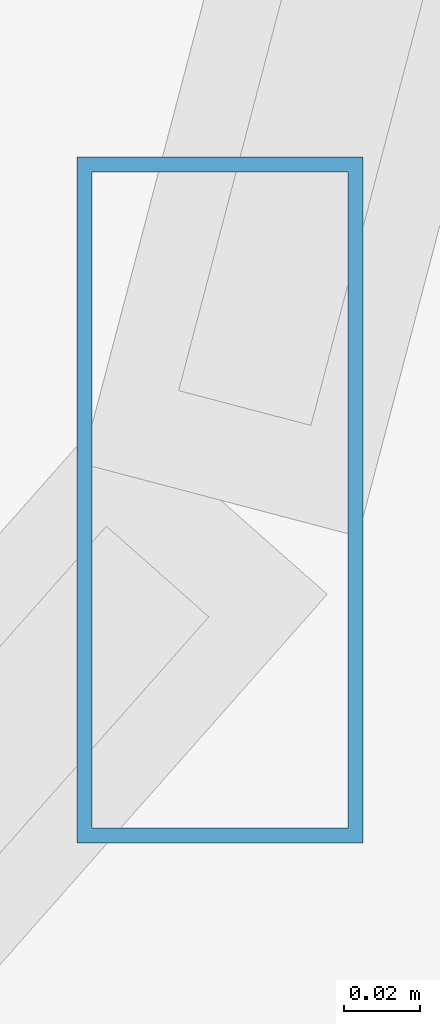
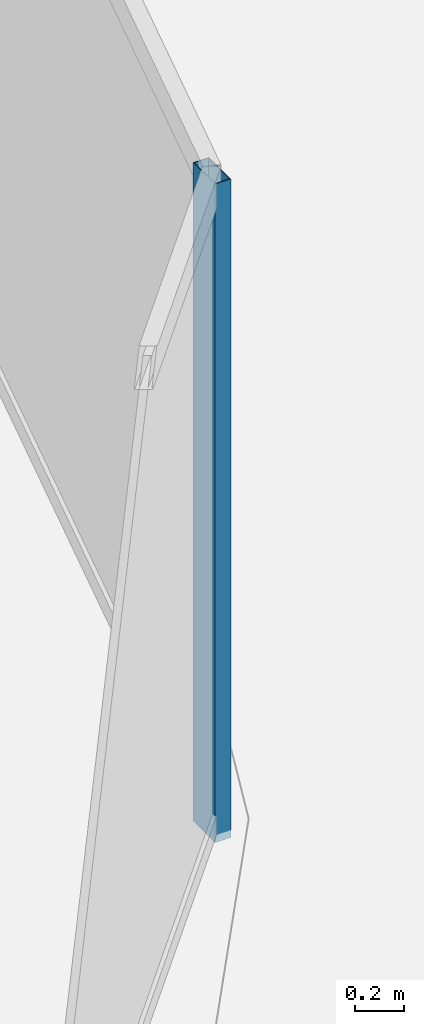
# One storey, part 13 of 30: 1 member, 1 element without a shape of its own.
"""IFC4 building model written with IfcOpenShell, lengths in metres."""

from ifc_helpers import new_model, si_unit, direction, frame, origin, origin_2d, place, context, subcontext, project, spatial, hollow_rectangle, extrude, material, material_profile, profile_set, type_object, element, aggregate, save


model = new_model("IFC4")

# Units and contexts
model_context = context("Model", 3, precision=1e-05, world=origin(), true_north=direction((0.0, 1.0)))
body_context = subcontext(model_context, "Body", "Model", "MODEL_VIEW")
ifc_project = project(units=[si_unit("LENGTHUNIT", "METRE"), si_unit("AREAUNIT", "SQUARE_METRE"), si_unit("VOLUMEUNIT", "CUBIC_METRE"), si_unit("PLANEANGLEUNIT", "RADIAN"), si_unit("MASSUNIT", "GRAM", prefix="KILO")], contexts=[model_context])

# Site, building, storey
site_placement = place(None, origin())
site = spatial("IfcSite", under=ifc_project, at=site_placement, CompositionType="ELEMENT")
building_placement = place(site_placement, origin())
building = spatial("IfcBuilding", under=site, at=building_placement, Name="Vorneva Point Tower", CompositionType="ELEMENT")
storey_placement = place(building_placement, frame((0.0, 0.0, 92.800048828125)))
storey = spatial("IfcBuildingStorey", under=building, at=storey_placement, Name="L24", CompositionType="ELEMENT", Elevation=92.800048828125)

# Curtain wall, member
ifc_material = material(Name="Pale anodised aluminium", Category="aluminium")
curtain_wall_type = type_object("IfcCurtainWallType", Name="CW-HTL-SYS", PredefinedType="NOTDEFINED", material=ifc_material)
curtain_wall_placement = place(storey_placement, origin())
curtain_wall = element("IfcCurtainWall", 1, at=curtain_wall_placement, inside=storey, type_object=curtain_wall_type, Name="L24 Unitised Curtain Wall CW-L24-R01", PredefinedType="NOTDEFINED")
ifc_material_profile = material_profile(ifc_material, hollow_rectangle(XDim=0.074951171875, YDim=0.179931640625, WallThickness=0.00390625, at=origin_2d()), Name="AL-MUL 180x75x4")
ifc_profile_set = profile_set([ifc_material_profile], Name="Pale anodised aluminium")
member_type = type_object("IfcMemberType", Name="CW-MUL-180", PredefinedType="MULLION", material=ifc_profile_set)
member_placement = place(storey_placement, frame((62.251708984375, 18.40380859375, -0.0400390625), z_axis=(0.0, 0.0, 1.0), x_axis=(1.0, 0.0, 0.0)))
member = element("IfcMember", 2, at=member_placement, type_object=member_type, Name="CW-L24-R01 Mullion 02", PredefinedType="MULLION", context=body_context, shape_type="SweptSolid", body=[
    extrude(hollow_rectangle(XDim=0.074951171875, YDim=0.179931640625, WallThickness=0.00390625, at=origin_2d()), origin(), (0.0, 0.0, 1.0), 3.31005859375),
])
aggregate(curtain_wall, [member])

save(model, "model.ifc")
